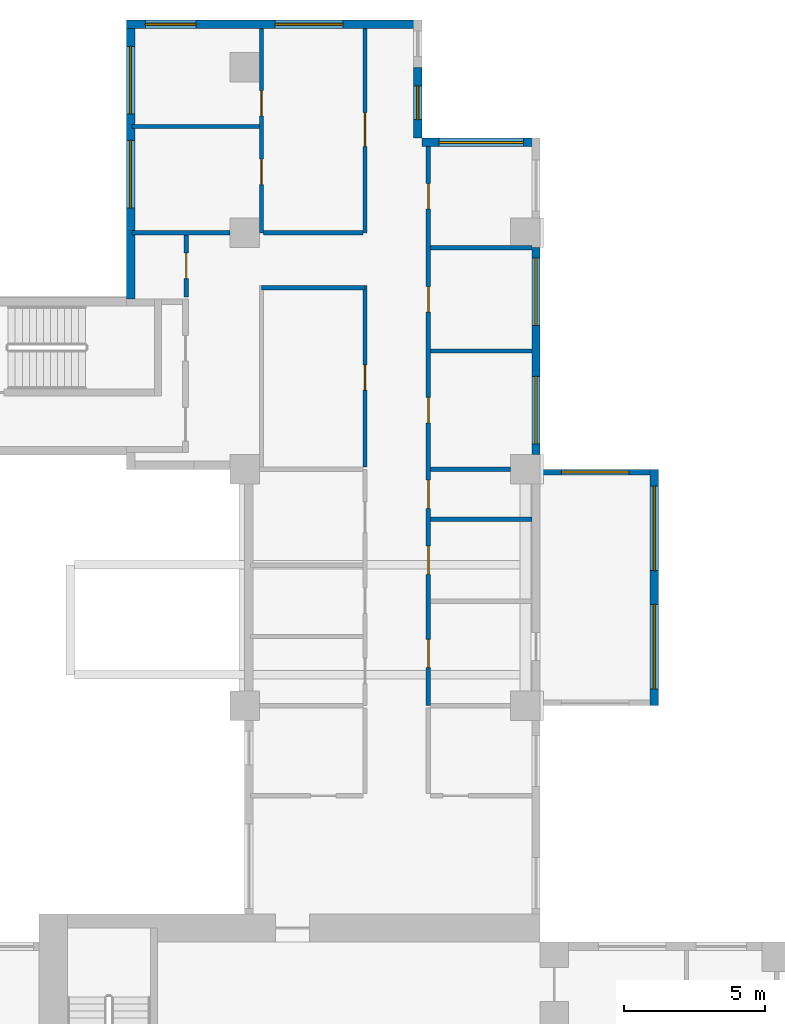
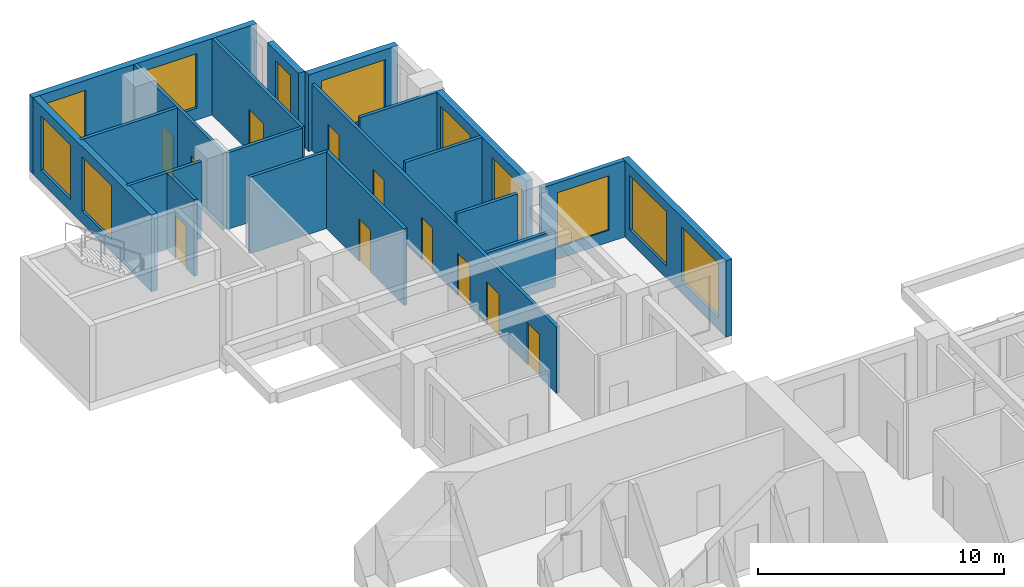
# One storey, part 7 of 14: 20 walls, 11 doors, 11 windows, 22 openings.
"""IFC4 building model written with IfcOpenShell, lengths in metres."""

from ifc_helpers import new_model, si_unit, direction, frame, frame_2d, origin, place, context, subcontext, project, spatial, rectangle, extrude, source, transform, mapped, material, layer, layer_set, type_object, element, fill, save


model = new_model("IFC4")

# Units and contexts
model_context = context("Model", 3, precision=1e-05, world=origin(), true_north=direction((0.0, 1.0)))
body_context = subcontext(model_context, "Body", "Model", "MODEL_VIEW")
ifc_project = project(units=[si_unit("LENGTHUNIT", "METRE"), si_unit("AREAUNIT", "SQUARE_METRE"), si_unit("VOLUMEUNIT", "CUBIC_METRE"), si_unit("PLANEANGLEUNIT", "RADIAN"), si_unit("MASSUNIT", "GRAM", prefix="KILO")], contexts=[model_context])

# Site, building, storey
site_placement = place(None, origin())
site = spatial("IfcSite", under=ifc_project, at=site_placement, CompositionType="ELEMENT")
building_placement = place(site_placement, origin())
building = spatial("IfcBuilding", under=site, at=building_placement, Name="Aurelian Terraces", CompositionType="ELEMENT")
storey_placement = place(building_placement, frame((0.0, 0.0, 132.9)))
storey = spatial("IfcBuildingStorey", under=building, at=storey_placement, Name="L29", CompositionType="ELEMENT", Elevation=132.9)

# Wall, opening, window
ifc_material_1 = material(Name="Terracotta rainscreen cladding", Category="masonry")
ifc_layer_1 = layer(ifc_material_1, 0.3)
ifc_layer_set_1 = layer_set([ifc_layer_1], Name="EW-300")
wall_type_1 = type_object("IfcWallType", Name="EW-300", PredefinedType="STANDARD", material=ifc_layer_set_1)
shared_shape_1 = source(origin(), body_context, "Body", "SweptSolid", [
    extrude(rectangle(XDim=4.2, YDim=0.3, at=frame_2d((2.1, 0.0))), origin(), (0.0, 0.0, 1.0), 3.8),
])
wall_1_placement = place(storey_placement, frame((21.0, 49.41, 0.0), z_axis=(0.0, 0.0, 1.0), x_axis=(-1.0, 0.0, 0.0)))
wall_1 = element("IfcWall", 1, at=wall_1_placement, inside=storey, type_object=wall_type_1, Name="External wall L29 F09.26", PredefinedType="STANDARD", context=body_context, shape_type="MappedRepresentation", body=[
    mapped(shared_shape_1, transform((0.0, 0.0, 0.0), scale=1.0)),
])
shared_shape_2 = source(origin(), body_context, "Body", "SweptSolid", [
    extrude(rectangle(XDim=3.0, YDim=2.7, at=frame_2d((1.5, 1.35))), frame((0.0, 0.16, 0.0), z_axis=(0.0, -1.0, 0.0), x_axis=(1.0, 0.0, 0.0)), (0.0, 0.0, 1.0), 0.32),
])
opening_1_placement = place(wall_1_placement, frame((0.6, 0.0, 0.6)))
opening_1 = element("IfcOpeningElement", 2, at=opening_1_placement, cuts=wall_1, Name="Opening W3027", PredefinedType="OPENING", context=body_context, shape_type="MappedRepresentation", body=[
    mapped(shared_shape_2, transform((0.0, 0.0, 0.0), scale=1.0)),
])
ifc_material_2 = material(Name="Clear glazing", Category="glass")
window_type_1 = type_object("IfcWindowType", Name="W-3000x2700", PartitioningType="SINGLE_PANEL", PredefinedType="WINDOW", material=ifc_material_2)
shared_shape_3 = source(origin(), body_context, "Body", "SweptSolid", [
    extrude(rectangle(XDim=3.0, YDim=2.7, at=frame_2d((1.5, 1.35))), frame((0.0, 0.03, 0.0), z_axis=(0.0, -1.0, 0.0), x_axis=(1.0, 0.0, 0.0)), (0.0, 0.0, 1.0), 0.06),
])
window_1_placement = place(opening_1_placement, origin())
window_1 = element("IfcWindow", 3, at=window_1_placement, inside=storey, type_object=window_type_1, Name="Window L29 L29-F09-26-0", OverallHeight=2.7, OverallWidth=3.0, PartitioningType="SINGLE_PANEL", PredefinedType="WINDOW", context=body_context, shape_type="MappedRepresentation", body=[
    mapped(shared_shape_3, transform((0.0, 0.0, 0.0), scale=1.0)),
])
fill(opening_1, window_1)

shared_shape_4 = source(origin(), body_context, "Body", "SweptSolid", [
    extrude(rectangle(XDim=2.52, YDim=0.3, at=frame_2d((1.26, 0.0))), origin(), (0.0, 0.0, 1.0), 3.8),
])
wall_2_placement = place(storey_placement, frame((16.65, 49.56, 0.0), z_axis=(0.0, 0.0, 1.0), x_axis=(0.0, 1.0, 0.0)))
wall_2 = element("IfcWall", 4, at=wall_2_placement, inside=storey, type_object=wall_type_1, Name="External wall L29 F10.27", PredefinedType="STANDARD", context=body_context, shape_type="MappedRepresentation", body=[
    mapped(shared_shape_4, transform((0.0, 0.0, 0.0), scale=1.0)),
])
shared_shape_5 = source(origin(), body_context, "Body", "SweptSolid", [
    extrude(rectangle(XDim=1.2, YDim=2.7, at=frame_2d((0.6, 1.35))), frame((0.0, 0.16, 0.0), z_axis=(0.0, -1.0, 0.0), x_axis=(1.0, 0.0, 0.0)), (0.0, 0.0, 1.0), 0.32),
])
opening_2_placement = place(wall_2_placement, frame((0.66, 0.0, 0.6)))
opening_2 = element("IfcOpeningElement", 5, at=opening_2_placement, cuts=wall_2, Name="Opening W1227", PredefinedType="OPENING", context=body_context, shape_type="MappedRepresentation", body=[
    mapped(shared_shape_5, transform((0.0, 0.0, 0.0), scale=1.0)),
])
window_type_2 = type_object("IfcWindowType", Name="W-1200x2700", PartitioningType="SINGLE_PANEL", PredefinedType="WINDOW", material=ifc_material_2)
shared_shape_6 = source(origin(), body_context, "Body", "SweptSolid", [
    extrude(rectangle(XDim=1.2, YDim=2.7, at=frame_2d((0.6, 1.35))), frame((0.0, 0.03, 0.0), z_axis=(0.0, -1.0, 0.0), x_axis=(1.0, 0.0, 0.0)), (0.0, 0.0, 1.0), 0.06),
])
window_2_placement = place(opening_2_placement, origin())
window_2 = element("IfcWindow", 6, at=window_2_placement, inside=storey, type_object=window_type_2, Name="Window L29 L29-F10-27-0", OverallHeight=2.7, OverallWidth=1.2, PartitioningType="SINGLE_PANEL", PredefinedType="WINDOW", context=body_context, shape_type="MappedRepresentation", body=[
    mapped(shared_shape_6, transform((0.0, 0.0, 0.0), scale=1.0)),
])
fill(opening_2, window_2)

ifc_material_3 = material(Name="Concrete fc' 40 MPa", Category="concrete")
ifc_layer_2 = layer(ifc_material_3, 0.2)
ifc_layer_set_2 = layer_set([ifc_layer_2], Name="BOX BEARING WALL 200")
wall_type_2 = type_object("IfcWallType", Name="BOX BEARING WALL 200", PredefinedType="SOLIDWALL", material=ifc_layer_set_2)
shared_shape_7 = source(origin(), body_context, "Body", "SweptSolid", [
    extrude(rectangle(XDim=3.9, YDim=0.2, at=frame_2d((1.95, 0.0))), origin(), (0.0, 0.0, 1.0), 3.79),
])
wall_3_placement = place(storey_placement, frame((21.0, 37.7, 0.0), z_axis=(0.0, 0.0, 1.0), x_axis=(1.0, 0.0, 0.0)))
wall_3 = element("IfcWall", 7, at=wall_3_placement, inside=storey, type_object=wall_type_2, Name="Box return L29 J41.2", PredefinedType="SOLIDWALL", context=body_context, shape_type="MappedRepresentation", body=[
    mapped(shared_shape_7, transform((0.0, 0.0, 0.0), scale=1.0)),
])
shared_shape_8 = source(origin(), body_context, "Body", "SweptSolid", [
    extrude(rectangle(XDim=2.4, YDim=2.7, at=frame_2d((1.2, 1.35))), frame((0.0, 0.11, 0.0), z_axis=(0.0, -1.0, 0.0), x_axis=(1.0, 0.0, 0.0)), (0.0, 0.0, 1.0), 0.22),
])
opening_3_placement = place(wall_3_placement, frame((0.75, 0.0, 0.6)))
opening_3 = element("IfcOpeningElement", 8, at=opening_3_placement, cuts=wall_3, Name="Opening W2427", PredefinedType="OPENING", context=body_context, shape_type="MappedRepresentation", body=[
    mapped(shared_shape_8, transform((0.0, 0.0, 0.0), scale=1.0)),
])
window_type_3 = type_object("IfcWindowType", Name="W-2400x2700", PartitioningType="SINGLE_PANEL", PredefinedType="WINDOW", material=ifc_material_2)
shared_shape_9 = source(origin(), body_context, "Body", "SweptSolid", [
    extrude(rectangle(XDim=2.4, YDim=2.7, at=frame_2d((1.2, 1.35))), frame((0.0, 0.03, 0.0), z_axis=(0.0, -1.0, 0.0), x_axis=(1.0, 0.0, 0.0)), (0.0, 0.0, 1.0), 0.06),
])
window_3_placement = place(opening_3_placement, origin())
window_3 = element("IfcWindow", 9, at=window_3_placement, inside=storey, type_object=window_type_3, Name="Window L29 J41-S2", OverallHeight=2.7, OverallWidth=2.4, PartitioningType="SINGLE_PANEL", PredefinedType="WINDOW", context=body_context, shape_type="MappedRepresentation", body=[
    mapped(shared_shape_9, transform((0.0, 0.0, 0.0), scale=1.0)),
])
fill(opening_3, window_3)

# Wall, openings, windows
shared_shape_10 = source(origin(), body_context, "Body", "SweptSolid", [
    extrude(rectangle(XDim=7.35, YDim=0.3, at=frame_2d((3.675, 0.0))), origin(), (0.0, 0.0, 1.0), 3.8),
])
wall_4_placement = place(storey_placement, frame((20.85, 38.325, 0.0), z_axis=(0.0, 0.0, 1.0), x_axis=(0.0, 1.0, 0.0)))
wall_4 = element("IfcWall", 10, at=wall_4_placement, inside=storey, type_object=wall_type_1, Name="External wall L29 F08.24", PredefinedType="STANDARD", context=body_context, shape_type="MappedRepresentation", body=[
    mapped(shared_shape_10, transform((0.0, 0.0, 0.0), scale=1.0)),
])
shared_shape_11 = source(origin(), body_context, "Body", "SweptSolid", [
    extrude(rectangle(XDim=2.4, YDim=2.7, at=frame_2d((1.2, 1.35))), frame((0.0, 0.16, 0.0), z_axis=(0.0, -1.0, 0.0), x_axis=(1.0, 0.0, 0.0)), (0.0, 0.0, 1.0), 0.32),
])
opening_4_placement = place(wall_4_placement, frame((0.375, 0.0, 0.6)))
opening_4 = element("IfcOpeningElement", 11, at=opening_4_placement, cuts=wall_4, Name="Opening W2427", PredefinedType="OPENING", context=body_context, shape_type="MappedRepresentation", body=[
    mapped(shared_shape_11, transform((0.0, 0.0, 0.0), scale=1.0)),
])
opening_5_placement = place(wall_4_placement, frame((4.575, 0.0, 0.6)))
opening_5 = element("IfcOpeningElement", 12, at=opening_5_placement, cuts=wall_4, Name="Opening W2427", PredefinedType="OPENING", context=body_context, shape_type="MappedRepresentation", body=[
    mapped(shared_shape_11, transform((0.0, 0.0, 0.0), scale=1.0)),
])
window_4_placement = place(opening_4_placement, origin())
window_4 = element("IfcWindow", 13, at=window_4_placement, inside=storey, type_object=window_type_3, Name="Window L29 L29-F08-24-0", OverallHeight=2.7, OverallWidth=2.4, PartitioningType="SINGLE_PANEL", PredefinedType="WINDOW", context=body_context, shape_type="MappedRepresentation", body=[
    mapped(shared_shape_9, transform((0.0, 0.0, 0.0), scale=1.0)),
])
fill(opening_4, window_4)
window_5_placement = place(opening_5_placement, origin())
window_5 = element("IfcWindow", 14, at=window_5_placement, inside=storey, type_object=window_type_3, Name="Window L29 L29-F08-24-1", OverallHeight=2.7, OverallWidth=2.4, PartitioningType="SINGLE_PANEL", PredefinedType="WINDOW", context=body_context, shape_type="MappedRepresentation", body=[
    mapped(shared_shape_9, transform((0.0, 0.0, 0.0), scale=1.0)),
])
fill(opening_5, window_5)

ifc_layer_3 = layer(ifc_material_3, 0.3)
ifc_layer_set_3 = layer_set([ifc_layer_3], Name="BOX BEARING WALL 300")
wall_type_3 = type_object("IfcWallType", Name="BOX BEARING WALL 300", PredefinedType="SOLIDWALL", material=ifc_layer_set_3)
shared_shape_12 = source(origin(), body_context, "Body", "SweptSolid", [
    extrude(rectangle(XDim=8.4, YDim=0.3, at=frame_2d((4.2, 0.0))), origin(), (0.0, 0.0, 1.0), 3.79),
])
wall_5_placement = place(storey_placement, frame((25.05, 29.4, 0.0), z_axis=(0.0, 0.0, 1.0), x_axis=(0.0, 1.0, 0.0)))
wall_5 = element("IfcWall", 15, at=wall_5_placement, inside=storey, type_object=wall_type_3, Name="Box wall L29 J41", PredefinedType="SOLIDWALL", context=body_context, shape_type="MappedRepresentation", body=[
    mapped(shared_shape_12, transform((0.0, 0.0, 0.0), scale=1.0)),
])
opening_6_placement = place(wall_5_placement, frame((0.6, 0.0, 0.6)))
opening_6 = element("IfcOpeningElement", 16, at=opening_6_placement, cuts=wall_5, Name="Opening W3027", PredefinedType="OPENING", context=body_context, shape_type="MappedRepresentation", body=[
    mapped(shared_shape_2, transform((0.0, 0.0, 0.0), scale=1.0)),
])
opening_7_placement = place(wall_5_placement, frame((4.8, 0.0, 0.6)))
opening_7 = element("IfcOpeningElement", 17, at=opening_7_placement, cuts=wall_5, Name="Opening W3027", PredefinedType="OPENING", context=body_context, shape_type="MappedRepresentation", body=[
    mapped(shared_shape_2, transform((0.0, 0.0, 0.0), scale=1.0)),
])
window_6_placement = place(opening_6_placement, origin())
window_6 = element("IfcWindow", 18, at=window_6_placement, inside=storey, type_object=window_type_1, Name="Window L29 J41-F1", OverallHeight=2.7, OverallWidth=3.0, PartitioningType="SINGLE_PANEL", PredefinedType="WINDOW", context=body_context, shape_type="MappedRepresentation", body=[
    mapped(shared_shape_3, transform((0.0, 0.0, 0.0), scale=1.0)),
])
fill(opening_6, window_6)
window_7_placement = place(opening_7_placement, origin())
window_7 = element("IfcWindow", 19, at=window_7_placement, inside=storey, type_object=window_type_1, Name="Window L29 J41-F2", OverallHeight=2.7, OverallWidth=3.0, PartitioningType="SINGLE_PANEL", PredefinedType="WINDOW", context=body_context, shape_type="MappedRepresentation", body=[
    mapped(shared_shape_3, transform((0.0, 0.0, 0.0), scale=1.0)),
])
fill(opening_7, window_7)

shared_shape_13 = source(origin(), body_context, "Body", "SweptSolid", [
    extrude(rectangle(XDim=10.5, YDim=0.3, at=frame_2d((5.25, 0.0))), origin(), (0.0, 0.0, 1.0), 3.8),
])
wall_6_placement = place(storey_placement, frame((16.8, 53.61, 0.0), z_axis=(0.0, 0.0, 1.0), x_axis=(-1.0, 0.0, 0.0)))
wall_6 = element("IfcWall", 20, at=wall_6_placement, inside=storey, type_object=wall_type_1, Name="External wall L29 F11.29", PredefinedType="STANDARD", context=body_context, shape_type="MappedRepresentation", body=[
    mapped(shared_shape_13, transform((0.0, 0.0, 0.0), scale=1.0)),
])
shared_shape_14 = source(origin(), body_context, "Body", "SweptSolid", [
    extrude(rectangle(XDim=1.8, YDim=2.7, at=frame_2d((0.9, 1.35))), frame((0.0, 0.16, 0.0), z_axis=(0.0, -1.0, 0.0), x_axis=(1.0, 0.0, 0.0)), (0.0, 0.0, 1.0), 0.32),
])
opening_8_placement = place(wall_6_placement, frame((8.025, 0.0, 0.6)))
opening_8 = element("IfcOpeningElement", 21, at=opening_8_placement, cuts=wall_6, Name="Opening W1827", PredefinedType="OPENING", context=body_context, shape_type="MappedRepresentation", body=[
    mapped(shared_shape_14, transform((0.0, 0.0, 0.0), scale=1.0)),
])
opening_9_placement = place(wall_6_placement, frame((2.8125, 0.0, 0.6)))
opening_9 = element("IfcOpeningElement", 22, at=opening_9_placement, cuts=wall_6, Name="Opening W2427", PredefinedType="OPENING", context=body_context, shape_type="MappedRepresentation", body=[
    mapped(shared_shape_11, transform((0.0, 0.0, 0.0), scale=1.0)),
])
window_8_placement = place(opening_9_placement, origin())
window_8 = element("IfcWindow", 23, at=window_8_placement, inside=storey, type_object=window_type_3, Name="Window L29 L29-F11-29-G0-0", OverallHeight=2.7, OverallWidth=2.4, PartitioningType="SINGLE_PANEL", PredefinedType="WINDOW", context=body_context, shape_type="MappedRepresentation", body=[
    mapped(shared_shape_9, transform((0.0, 0.0, 0.0), scale=1.0)),
])
fill(opening_9, window_8)
window_type_4 = type_object("IfcWindowType", Name="W-1800x2700", PartitioningType="SINGLE_PANEL", PredefinedType="WINDOW", material=ifc_material_2)
shared_shape_15 = source(origin(), body_context, "Body", "SweptSolid", [
    extrude(rectangle(XDim=1.8, YDim=2.7, at=frame_2d((0.9, 1.35))), frame((0.0, 0.03, 0.0), z_axis=(0.0, -1.0, 0.0), x_axis=(1.0, 0.0, 0.0)), (0.0, 0.0, 1.0), 0.06),
])
window_9_placement = place(opening_8_placement, origin())
window_9 = element("IfcWindow", 24, at=window_9_placement, inside=storey, type_object=window_type_4, Name="Window L29 L29-F11-29-2", OverallHeight=2.7, OverallWidth=1.8, PartitioningType="SINGLE_PANEL", PredefinedType="WINDOW", context=body_context, shape_type="MappedRepresentation", body=[
    mapped(shared_shape_15, transform((0.0, 0.0, 0.0), scale=1.0)),
])
fill(opening_8, window_9)

shared_shape_16 = source(origin(), body_context, "Body", "SweptSolid", [
    extrude(rectangle(XDim=9.91, YDim=0.3, at=frame_2d((4.955, 0.0))), origin(), (0.0, 0.0, 1.0), 3.8),
])
wall_7_placement = place(storey_placement, frame((6.45, 53.76, 0.0), z_axis=(0.0, 0.0, 1.0), x_axis=(0.0, -1.0, 0.0)))
wall_7 = element("IfcWall", 25, at=wall_7_placement, inside=storey, type_object=wall_type_1, Name="External wall L29 F12.30", PredefinedType="STANDARD", context=body_context, shape_type="MappedRepresentation", body=[
    mapped(shared_shape_16, transform((0.0, 0.0, 0.0), scale=1.0)),
])
opening_10_placement = place(wall_7_placement, frame((4.2725, 0.0, 0.6)))
opening_10 = element("IfcOpeningElement", 26, at=opening_10_placement, cuts=wall_7, Name="Opening W2427", PredefinedType="OPENING", context=body_context, shape_type="MappedRepresentation", body=[
    mapped(shared_shape_11, transform((0.0, 0.0, 0.0), scale=1.0)),
])
opening_11_placement = place(wall_7_placement, frame((0.9363, 0.0, 0.6)))
opening_11 = element("IfcOpeningElement", 27, at=opening_11_placement, cuts=wall_7, Name="Opening W2427", PredefinedType="OPENING", context=body_context, shape_type="MappedRepresentation", body=[
    mapped(shared_shape_11, transform((0.0, 0.0, 0.0), scale=1.0)),
])
window_10_placement = place(opening_10_placement, origin())
window_10 = element("IfcWindow", 28, at=window_10_placement, inside=storey, type_object=window_type_3, Name="Window L29 L29-F12-30-1", OverallHeight=2.7, OverallWidth=2.4, PartitioningType="SINGLE_PANEL", PredefinedType="WINDOW", context=body_context, shape_type="MappedRepresentation", body=[
    mapped(shared_shape_9, transform((0.0, 0.0, 0.0), scale=1.0)),
])
fill(opening_10, window_10)
window_11_placement = place(opening_11_placement, origin())
window_11 = element("IfcWindow", 29, at=window_11_placement, inside=storey, type_object=window_type_3, Name="Window L29 L29-F12-30-G0-0", OverallHeight=2.7, OverallWidth=2.4, PartitioningType="SINGLE_PANEL", PredefinedType="WINDOW", context=body_context, shape_type="MappedRepresentation", body=[
    mapped(shared_shape_9, transform((0.0, 0.0, 0.0), scale=1.0)),
])
fill(opening_11, window_11)

# Wall, opening, door
ifc_material_4 = material(Name="Gypsum board on steel studs", Category="steel")
ifc_layer_4 = layer(ifc_material_4, 0.15)
ifc_layer_set_4 = layer_set([ifc_layer_4], Name="Fire partition 150")
wall_type_4 = type_object("IfcWallType", Name="Fire partition 150", PredefinedType="PARTITIONING", material=ifc_layer_set_4)
shared_shape_17 = source(origin(), body_context, "Body", "SweptSolid", [
    extrude(rectangle(XDim=6.45, YDim=0.15, at=frame_2d((3.225, 0.0))), origin(), (0.0, 0.0, 1.0), 3.8),
])
wall_8_placement = place(storey_placement, frame((14.775, 37.875, 0.0), z_axis=(0.0, 0.0, 1.0), x_axis=(0.0, 1.0, 0.0)))
wall_8 = element("IfcWall", 30, at=wall_8_placement, inside=storey, type_object=wall_type_4, Name="Corridor wall", PredefinedType="PARTITIONING", context=body_context, shape_type="MappedRepresentation", body=[
    mapped(shared_shape_17, transform((0.0, 0.0, 0.0), scale=1.0)),
])
shared_shape_18 = source(origin(), body_context, "Body", "SweptSolid", [
    extrude(rectangle(XDim=0.9, YDim=2.1, at=frame_2d((0.45, 1.05))), frame((0.0, 0.085, 0.0), z_axis=(0.0, -1.0, 0.0), x_axis=(1.0, 0.0, 0.0)), (0.0, 0.0, 1.0), 0.17),
])
opening_12_placement = place(wall_8_placement, frame((2.7375, 0.0, 0.0)))
opening_12 = element("IfcOpeningElement", 31, at=opening_12_placement, cuts=wall_8, Name="Opening 729034", PredefinedType="OPENING", context=body_context, shape_type="MappedRepresentation", body=[
    mapped(shared_shape_18, transform((0.0, 0.0, 0.0), scale=1.0)),
])
ifc_material_5 = material(Name="Timber door leaf", Category="wood")
door_type_1 = type_object("IfcDoorType", Name="Room door 900x2100 left", OperationType="SINGLE_SWING_LEFT", PredefinedType="DOOR", material=ifc_material_5)
shared_shape_19 = source(origin(), body_context, "Body", "SweptSolid", [
    extrude(rectangle(XDim=0.9, YDim=2.1, at=frame_2d((0.45, 1.05))), frame((0.0, 0.025, 0.0), z_axis=(0.0, -1.0, 0.0), x_axis=(1.0, 0.0, 0.0)), (0.0, 0.0, 1.0), 0.05),
])
door_1_placement = place(opening_12_placement, origin())
door_1 = element("IfcDoor", 32, at=door_1_placement, inside=storey, type_object=door_type_1, Name="Door 729034", OperationType="SINGLE_SWING_LEFT", OverallHeight=2.1, OverallWidth=0.9, PredefinedType="DOOR", context=body_context, shape_type="MappedRepresentation", body=[
    mapped(shared_shape_19, transform((0.0, 0.0, 0.0), scale=1.0)),
])
fill(opening_12, door_1)

# Walls
ifc_layer_5 = layer(ifc_material_4, 0.15)
ifc_layer_set_5 = layer_set([ifc_layer_5], Name="Partition 150")
wall_type_5 = type_object("IfcWallType", Name="Partition 150", PredefinedType="PARTITIONING", material=ifc_layer_set_5)
shared_shape_20 = source(origin(), body_context, "Body", "SweptSolid", [
    extrude(rectangle(XDim=3.6, YDim=0.15, at=frame_2d((1.8, 0.0))), origin(), (0.0, 0.0, 1.0), 3.8),
])
for number, where, z_axis, x_axis, name in (
    (33, (17.1, 45.6675, 0.0), (0.0, 0.0, 1.0), (1.0, 0.0, 0.0), "Partition"),
    (34, (20.7, 42.0, 0.0), (0.0, 0.0, 1.0), (-1.0, 0.0, 0.0), "Partition"),
):
    element("IfcWall", number, at=place(storey_placement, frame(where, z_axis=z_axis, x_axis=x_axis)), inside=storey, type_object=wall_type_5, Name=name, PredefinedType="PARTITIONING", context=body_context, shape_type="MappedRepresentation", body=[
        mapped(shared_shape_20, transform((0.0, 0.0, 0.0), scale=1.0)),
    ])

# Wall, opening, door
shared_shape_21 = source(origin(), body_context, "Body", "SweptSolid", [
    extrude(rectangle(XDim=2.2, YDim=0.15, at=frame_2d((1.1, 0.0))), origin(), (0.0, 0.0, 1.0), 3.8),
])
wall_9_placement = place(storey_placement, frame((8.425, 43.925, 0.0), z_axis=(0.0, 0.0, 1.0), x_axis=(0.0, 1.0, 0.0)))
wall_9 = element("IfcWall", 35, at=wall_9_placement, inside=storey, type_object=wall_type_5, Name="Partition", PredefinedType="PARTITIONING", context=body_context, shape_type="MappedRepresentation", body=[
    mapped(shared_shape_21, transform((0.0, 0.0, 0.0), scale=1.0)),
])
opening_13_placement = place(wall_9_placement, frame((0.65, 0.0, 0.0)))
opening_13 = element("IfcOpeningElement", 36, at=opening_13_placement, cuts=wall_9, Name="Opening 729035", PredefinedType="OPENING", context=body_context, shape_type="MappedRepresentation", body=[
    mapped(shared_shape_18, transform((0.0, 0.0, 0.0), scale=1.0)),
])
door_2_placement = place(opening_13_placement, origin())
door_2 = element("IfcDoor", 37, at=door_2_placement, inside=storey, type_object=door_type_1, Name="Door 729035", OperationType="SINGLE_SWING_LEFT", OverallHeight=2.1, OverallWidth=0.9, PredefinedType="DOOR", context=body_context, shape_type="MappedRepresentation", body=[
    mapped(shared_shape_19, transform((0.0, 0.0, 0.0), scale=1.0)),
])
fill(opening_13, door_2)

# Wall
shared_shape_22 = source(origin(), body_context, "Body", "SweptSolid", [
    extrude(rectangle(XDim=3.6, YDim=0.15, at=frame_2d((1.8, 0.0))), origin(), (0.0, 0.0, 1.0), 2.8),
])
wall_10_placement = place(storey_placement, frame((17.1, 36.024, 0.0), z_axis=(0.0, 0.0, 1.0), x_axis=(1.0, 0.0, 0.0)))
element("IfcWall", 38, at=wall_10_placement, inside=storey, type_object=wall_type_5, Name="Partition", PredefinedType="PARTITIONING", context=body_context, shape_type="MappedRepresentation", body=[
    mapped(shared_shape_22, transform((0.0, 0.0, 0.0), scale=1.0)),
])

# Wall, openings, doors
shared_shape_23 = source(origin(), body_context, "Body", "SweptSolid", [
    extrude(rectangle(XDim=7.26, YDim=0.15, at=frame_2d((3.63, 0.0))), origin(), (0.0, 0.0, 1.0), 3.8),
])
wall_11_placement = place(storey_placement, frame((11.1, 46.2, 0.0), z_axis=(0.0, 0.0, 1.0), x_axis=(0.0, 1.0, 0.0)))
wall_11 = element("IfcWall", 39, at=wall_11_placement, inside=storey, type_object=wall_type_5, Name="Partition", PredefinedType="PARTITIONING", context=body_context, shape_type="MappedRepresentation", body=[
    mapped(shared_shape_23, transform((0.0, 0.0, 0.0), scale=1.0)),
])
opening_14_placement = place(wall_11_placement, frame((1.715, 0.0, 0.0)))
opening_14 = element("IfcOpeningElement", 40, at=opening_14_placement, cuts=wall_11, Name="Opening 729040", PredefinedType="OPENING", context=body_context, shape_type="MappedRepresentation", body=[
    mapped(shared_shape_18, transform((0.0, 0.0, 0.0), scale=1.0)),
])
opening_15_placement = place(wall_11_placement, frame((4.155, 0.0, 0.0)))
opening_15 = element("IfcOpeningElement", 41, at=opening_15_placement, cuts=wall_11, Name="Opening 729041", PredefinedType="OPENING", context=body_context, shape_type="MappedRepresentation", body=[
    mapped(shared_shape_18, transform((0.0, 0.0, 0.0), scale=1.0)),
])
door_3_placement = place(opening_14_placement, origin())
door_3 = element("IfcDoor", 42, at=door_3_placement, inside=storey, type_object=door_type_1, Name="Door 729040", OperationType="SINGLE_SWING_LEFT", OverallHeight=2.1, OverallWidth=0.9, PredefinedType="DOOR", context=body_context, shape_type="MappedRepresentation", body=[
    mapped(shared_shape_19, transform((0.0, 0.0, 0.0), scale=1.0)),
])
fill(opening_14, door_3)
door_type_2 = type_object("IfcDoorType", Name="Room door 900x2100 right", OperationType="SINGLE_SWING_RIGHT", PredefinedType="DOOR", material=ifc_material_5)
door_4_placement = place(opening_15_placement, origin())
door_4 = element("IfcDoor", 43, at=door_4_placement, inside=storey, type_object=door_type_2, Name="Door 729041", OperationType="SINGLE_SWING_RIGHT", OverallHeight=2.1, OverallWidth=0.9, PredefinedType="DOOR", context=body_context, shape_type="MappedRepresentation", body=[
    mapped(shared_shape_19, transform((0.0, 0.0, 0.0), scale=1.0)),
])
fill(opening_15, door_4)

# Wall, opening, door
wall_12_placement = place(storey_placement, frame((14.775, 46.2, 0.0), z_axis=(0.0, 0.0, 1.0), x_axis=(0.0, 1.0, 0.0)))
wall_12 = element("IfcWall", 44, at=wall_12_placement, inside=storey, type_object=wall_type_4, Name="Corridor wall", PredefinedType="PARTITIONING", context=body_context, shape_type="MappedRepresentation", body=[
    mapped(shared_shape_23, transform((0.0, 0.0, 0.0), scale=1.0)),
])
shared_shape_24 = source(origin(), body_context, "Body", "SweptSolid", [
    extrude(rectangle(XDim=1.2, YDim=2.1, at=frame_2d((0.6, 1.05))), frame((0.0, 0.085, 0.0), z_axis=(0.0, -1.0, 0.0), x_axis=(1.0, 0.0, 0.0)), (0.0, 0.0, 1.0), 0.17),
])
opening_16_placement = place(wall_12_placement, frame((3.0675, 0.0, 0.0)))
opening_16 = element("IfcOpeningElement", 45, at=opening_16_placement, cuts=wall_12, Name="Opening 729039", PredefinedType="OPENING", context=body_context, shape_type="MappedRepresentation", body=[
    mapped(shared_shape_24, transform((0.0, 0.0, 0.0), scale=1.0)),
])
door_type_3 = type_object("IfcDoorType", Name="Room door 1200x2100 right", OperationType="SINGLE_SWING_RIGHT", PredefinedType="DOOR", material=ifc_material_5)
shared_shape_25 = source(origin(), body_context, "Body", "SweptSolid", [
    extrude(rectangle(XDim=1.2, YDim=2.1, at=frame_2d((0.6, 1.05))), frame((0.0, 0.025, 0.0), z_axis=(0.0, -1.0, 0.0), x_axis=(1.0, 0.0, 0.0)), (0.0, 0.0, 1.0), 0.05),
])
door_5_placement = place(opening_16_placement, origin())
door_5 = element("IfcDoor", 46, at=door_5_placement, inside=storey, type_object=door_type_3, Name="Door 729039", OperationType="SINGLE_SWING_RIGHT", OverallHeight=2.1, OverallWidth=1.2, PredefinedType="DOOR", context=body_context, shape_type="MappedRepresentation", body=[
    mapped(shared_shape_25, transform((0.0, 0.0, 0.0), scale=1.0)),
])
fill(opening_16, door_5)

# Walls
shared_shape_26 = source(origin(), body_context, "Body", "SweptSolid", [
    extrude(rectangle(XDim=2.851, YDim=0.15, at=frame_2d((1.4255, 0.0))), origin(), (0.0, 0.0, 1.0), 3.8),
])
wall_13_placement = place(storey_placement, frame((19.951, 37.8, 0.0), z_axis=(0.0, 0.0, 1.0), x_axis=(-1.0, 0.0, 0.0)))
element("IfcWall", 47, at=wall_13_placement, inside=storey, type_object=wall_type_5, Name="Partition", PredefinedType="PARTITIONING", context=body_context, shape_type="MappedRepresentation", body=[
    mapped(shared_shape_26, transform((0.0, 0.0, 0.0), scale=1.0)),
])
shared_shape_27 = source(origin(), body_context, "Body", "SweptSolid", [
    extrude(rectangle(XDim=3.471, YDim=0.15, at=frame_2d((1.7355, 0.0))), origin(), (0.0, 0.0, 1.0), 3.8),
])
wall_14_placement = place(storey_placement, frame((9.976, 46.2, 0.0), z_axis=(0.0, 0.0, 1.0), x_axis=(-1.0, 0.0, 0.0)))
element("IfcWall", 48, at=wall_14_placement, inside=storey, type_object=wall_type_5, Name="Partition", PredefinedType="PARTITIONING", context=body_context, shape_type="MappedRepresentation", body=[
    mapped(shared_shape_27, transform((0.0, 0.0, 0.0), scale=1.0)),
])
shared_shape_28 = source(origin(), body_context, "Body", "SweptSolid", [
    extrude(rectangle(XDim=3.525, YDim=0.15, at=frame_2d((1.7625, 0.0))), origin(), (0.0, 0.0, 1.0), 3.8),
])
wall_15_placement = place(storey_placement, frame((14.7, 46.2, 0.0), z_axis=(0.0, 0.0, 1.0), x_axis=(-1.0, 0.0, 0.0)))
element("IfcWall", 49, at=wall_15_placement, inside=storey, type_object=wall_type_5, Name="Partition", PredefinedType="PARTITIONING", context=body_context, shape_type="MappedRepresentation", body=[
    mapped(shared_shape_28, transform((0.0, 0.0, 0.0), scale=1.0)),
])
shared_shape_29 = source(origin(), body_context, "Body", "SweptSolid", [
    extrude(rectangle(XDim=4.52, YDim=0.15, at=frame_2d((2.26, 0.0))), origin(), (0.0, 0.0, 1.0), 3.8),
])
wall_16_placement = place(storey_placement, frame((11.025, 49.98, 0.0), z_axis=(0.0, 0.0, 1.0), x_axis=(-1.0, 0.0, 0.0)))
element("IfcWall", 50, at=wall_16_placement, inside=storey, type_object=wall_type_5, Name="Partition", PredefinedType="PARTITIONING", context=body_context, shape_type="MappedRepresentation", body=[
    mapped(shared_shape_29, transform((0.0, 0.0, 0.0), scale=1.0)),
])
shared_shape_30 = source(origin(), body_context, "Body", "SweptSolid", [
    extrude(rectangle(XDim=3.675, YDim=0.15, at=frame_2d((1.8375, 0.0))), origin(), (0.0, 0.0, 1.0), 3.8),
])
wall_17_placement = place(storey_placement, frame((14.775, 44.25, 0.0), z_axis=(0.0, 0.0, 1.0), x_axis=(-1.0, 0.0, 0.0)))
element("IfcWall", 51, at=wall_17_placement, inside=storey, type_object=wall_type_5, Name="Partition", PredefinedType="PARTITIONING", context=body_context, shape_type="MappedRepresentation", body=[
    mapped(shared_shape_30, transform((0.0, 0.0, 0.0), scale=1.0)),
])

# Wall, openings, doors
shared_shape_31 = source(origin(), body_context, "Body", "SweptSolid", [
    extrude(rectangle(XDim=19.86, YDim=0.15, at=frame_2d((9.93, 0.0))), origin(), (0.0, 0.0, 1.0), 3.3),
])
wall_18_placement = place(storey_placement, frame((17.025, 49.26, 0.0), z_axis=(0.0, 0.0, 1.0), x_axis=(0.0, -1.0, 0.0)))
wall_18 = element("IfcWall", 52, at=wall_18_placement, inside=storey, type_object=wall_type_4, Name="Corridor wall", PredefinedType="PARTITIONING", context=body_context, shape_type="MappedRepresentation", body=[
    mapped(shared_shape_31, transform((0.0, 0.0, 0.0), scale=1.0)),
])
shared_shape_32 = source(origin(), body_context, "Body", "SweptSolid", [
    extrude(rectangle(XDim=1.0, YDim=2.1, at=frame_2d((0.5, 1.05))), frame((0.0, 0.085, 0.0), z_axis=(0.0, -1.0, 0.0), x_axis=(1.0, 0.0, 0.0)), (0.0, 0.0, 1.0), 0.17),
])
opening_17_placement = place(wall_18_placement, frame((17.5033, 0.0, 0.0)))
opening_17 = element("IfcOpeningElement", 53, at=opening_17_placement, cuts=wall_18, Name="Opening 729042", PredefinedType="OPENING", context=body_context, shape_type="MappedRepresentation", body=[
    mapped(shared_shape_32, transform((0.0, 0.0, 0.0), scale=1.0)),
])
opening_18_placement = place(wall_18_placement, frame((14.1914, 0.0, 0.0)))
opening_18 = element("IfcOpeningElement", 54, at=opening_18_placement, cuts=wall_18, Name="Opening 729043", PredefinedType="OPENING", context=body_context, shape_type="MappedRepresentation", body=[
    mapped(shared_shape_32, transform((0.0, 0.0, 0.0), scale=1.0)),
])
opening_19_placement = place(wall_18_placement, frame((11.848, 0.0, 0.0)))
opening_19 = element("IfcOpeningElement", 55, at=opening_19_placement, cuts=wall_18, Name="Opening 729044", PredefinedType="OPENING", context=body_context, shape_type="MappedRepresentation", body=[
    mapped(shared_shape_32, transform((0.0, 0.0, 0.0), scale=1.0)),
])
opening_20_placement = place(wall_18_placement, frame((8.91, 0.0, 0.0)))
opening_20 = element("IfcOpeningElement", 56, at=opening_20_placement, cuts=wall_18, Name="Opening 729045", PredefinedType="OPENING", context=body_context, shape_type="MappedRepresentation", body=[
    mapped(shared_shape_18, transform((0.0, 0.0, 0.0), scale=1.0)),
])
opening_21_placement = place(wall_18_placement, frame((4.9762, 0.0, 0.0)))
opening_21 = element("IfcOpeningElement", 57, at=opening_21_placement, cuts=wall_18, Name="Opening 729046", PredefinedType="OPENING", context=body_context, shape_type="MappedRepresentation", body=[
    mapped(shared_shape_18, transform((0.0, 0.0, 0.0), scale=1.0)),
])
opening_22_placement = place(wall_18_placement, frame((1.3088, 0.0, 0.0)))
opening_22 = element("IfcOpeningElement", 58, at=opening_22_placement, cuts=wall_18, Name="Opening 729047", PredefinedType="OPENING", context=body_context, shape_type="MappedRepresentation", body=[
    mapped(shared_shape_18, transform((0.0, 0.0, 0.0), scale=1.0)),
])
door_type_4 = type_object("IfcDoorType", Name="Room door 1000x2100 right", OperationType="SINGLE_SWING_RIGHT", PredefinedType="DOOR", material=ifc_material_5)
shared_shape_33 = source(origin(), body_context, "Body", "SweptSolid", [
    extrude(rectangle(XDim=1.0, YDim=2.1, at=frame_2d((0.5, 1.05))), frame((0.0, 0.025, 0.0), z_axis=(0.0, -1.0, 0.0), x_axis=(1.0, 0.0, 0.0)), (0.0, 0.0, 1.0), 0.05),
])
door_6_placement = place(opening_17_placement, origin())
door_6 = element("IfcDoor", 59, at=door_6_placement, inside=storey, type_object=door_type_4, Name="Door 729042", OperationType="SINGLE_SWING_RIGHT", OverallHeight=2.1, OverallWidth=1.0, PredefinedType="DOOR", context=body_context, shape_type="MappedRepresentation", body=[
    mapped(shared_shape_33, transform((0.0, 0.0, 0.0), scale=1.0)),
])
fill(opening_17, door_6)
door_type_5 = type_object("IfcDoorType", Name="Room door 1000x2100 left", OperationType="SINGLE_SWING_LEFT", PredefinedType="DOOR", material=ifc_material_5)
door_7_placement = place(opening_18_placement, origin())
door_7 = element("IfcDoor", 60, at=door_7_placement, inside=storey, type_object=door_type_5, Name="Door 729043", OperationType="SINGLE_SWING_LEFT", OverallHeight=2.1, OverallWidth=1.0, PredefinedType="DOOR", context=body_context, shape_type="MappedRepresentation", body=[
    mapped(shared_shape_33, transform((0.0, 0.0, 0.0), scale=1.0)),
])
fill(opening_18, door_7)
door_8_placement = place(opening_19_placement, origin())
door_8 = element("IfcDoor", 61, at=door_8_placement, inside=storey, type_object=door_type_4, Name="Door 729044", OperationType="SINGLE_SWING_RIGHT", OverallHeight=2.1, OverallWidth=1.0, PredefinedType="DOOR", context=body_context, shape_type="MappedRepresentation", body=[
    mapped(shared_shape_33, transform((0.0, 0.0, 0.0), scale=1.0)),
])
fill(opening_19, door_8)
door_9_placement = place(opening_20_placement, origin())
door_9 = element("IfcDoor", 62, at=door_9_placement, inside=storey, type_object=door_type_2, Name="Door 729045", OperationType="SINGLE_SWING_RIGHT", OverallHeight=2.1, OverallWidth=0.9, PredefinedType="DOOR", context=body_context, shape_type="MappedRepresentation", body=[
    mapped(shared_shape_19, transform((0.0, 0.0, 0.0), scale=1.0)),
])
fill(opening_20, door_9)
door_10_placement = place(opening_21_placement, origin())
door_10 = element("IfcDoor", 63, at=door_10_placement, inside=storey, type_object=door_type_2, Name="Door 729046", OperationType="SINGLE_SWING_RIGHT", OverallHeight=2.1, OverallWidth=0.9, PredefinedType="DOOR", context=body_context, shape_type="MappedRepresentation", body=[
    mapped(shared_shape_19, transform((0.0, 0.0, 0.0), scale=1.0)),
])
fill(opening_21, door_10)
door_11_placement = place(opening_22_placement, origin())
door_11 = element("IfcDoor", 64, at=door_11_placement, inside=storey, type_object=door_type_1, Name="Door 729047", OperationType="SINGLE_SWING_LEFT", OverallHeight=2.1, OverallWidth=0.9, PredefinedType="DOOR", context=body_context, shape_type="MappedRepresentation", body=[
    mapped(shared_shape_19, transform((0.0, 0.0, 0.0), scale=1.0)),
])
fill(opening_22, door_11)

save(model, "model.ifc")
